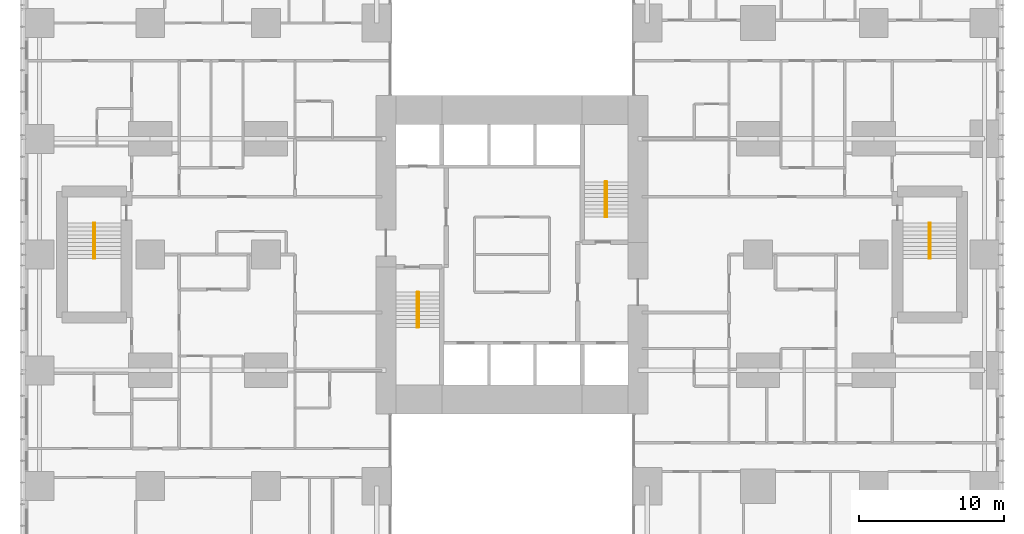
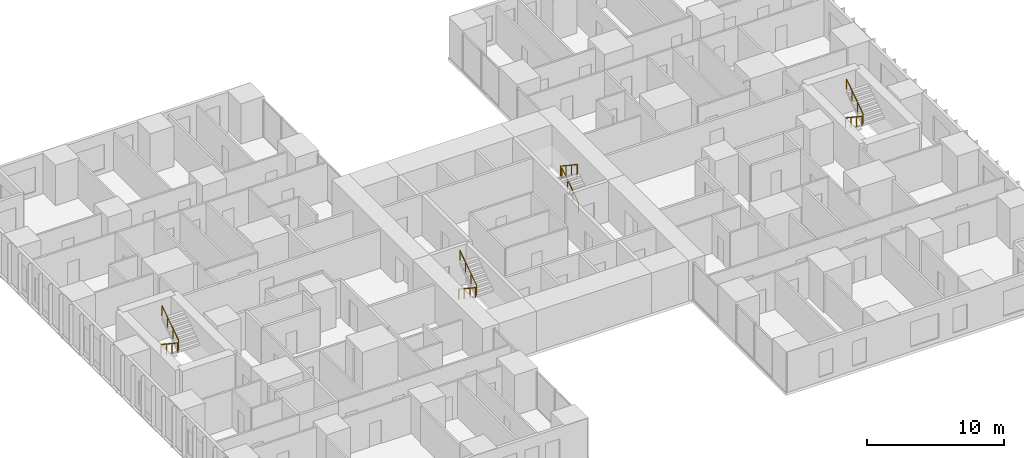
# One storey, part 20 of 20: 8 railings.
"""IFC4 building model written with IfcOpenShell, lengths in metres."""

from ifc_helpers import new_model, si_unit, direction, frame, origin, origin_2d, place, context, subcontext, project, spatial, circle, extrude, material, type_object, element, save


model = new_model("IFC4")

# Units and contexts
model_context = context("Model", 3, precision=1e-05, world=origin(), true_north=direction((0.0, 1.0)))
body_context = subcontext(model_context, "Body", "Model", "MODEL_VIEW")
ifc_project = project(units=[si_unit("LENGTHUNIT", "METRE"), si_unit("AREAUNIT", "SQUARE_METRE"), si_unit("VOLUMEUNIT", "CUBIC_METRE"), si_unit("PLANEANGLEUNIT", "RADIAN"), si_unit("MASSUNIT", "GRAM", prefix="KILO")], contexts=[model_context])

# Site, building, storey
site_placement = place(None, origin())
site = spatial("IfcSite", under=ifc_project, at=site_placement, CompositionType="ELEMENT")
building_placement = place(site_placement, origin())
building = spatial("IfcBuilding", under=site, at=building_placement, Name="Cleftline Residences", CompositionType="ELEMENT")
storey_placement = place(building_placement, frame((0.0, 0.0, 157.39990234375)))
storey = spatial("IfcBuildingStorey", under=building, at=storey_placement, Name="L41", CompositionType="ELEMENT", Elevation=157.39990234375)

# Railings
ifc_material = material(Name="Stainless steel", Category="steel")
railing_type = type_object("IfcRailingType", Name="HANDRAIL 900", PredefinedType="HANDRAIL", material=ifc_material)
railing_1_placement = place(storey_placement, frame((26.449951171875, 21.39990234375, 0.18017578125)))
element("IfcRailing", 1, at=railing_1_placement, inside=storey, type_object=railing_type, Name="Stair handrail", PredefinedType="HANDRAIL", context=body_context, shape_type="SweptSolid", body=[
    extrude(circle(Radius=0.02392578125, at=origin_2d()), frame((0.0, 0.0, 0.8759765625), z_axis=(0.0, -0.832063155534, 0.554680903946), x_axis=(1.0, 0.0, 0.0)), (0.0, 0.0, 1.0), 2.92041015625),
    extrude(circle(Radius=0.02099609375, at=origin_2d()), origin(), (0.0, 0.0, 1.0), 0.851806640625),
    extrude(circle(Radius=0.02099609375, at=origin_2d()), frame((0.0, -0.81005859375, 0.5400390625)), (0.0, 0.0, 1.0), 0.851806640625),
    extrude(circle(Radius=0.02099609375, at=origin_2d()), frame((0.0, -1.619873046875, 1.079833984375)), (0.0, 0.0, 1.0), 0.851806640625),
    extrude(circle(Radius=0.02099609375, at=origin_2d()), frame((0.0, -2.429931640625, 1.619873046875)), (0.0, 0.0, 1.0), 0.851806640625),
])
railing_2_placement = place(storey_placement, frame((26.550048828125, 18.969970703125, 1.97998046875)))
element("IfcRailing", 2, at=railing_2_placement, inside=storey, type_object=railing_type, Name="Stair handrail", PredefinedType="HANDRAIL", context=body_context, shape_type="SweptSolid", body=[
    extrude(circle(Radius=0.02392578125, at=origin_2d()), frame((0.0, 0.0, 0.8759765625), z_axis=(0.0, 0.832024571796, 0.554738778101), x_axis=(-1.0, 0.0, 0.0)), (0.0, 0.0, 1.0), 2.92041015625),
    extrude(circle(Radius=0.02099609375, at=origin_2d()), origin(), (0.0, 0.0, 1.0), 0.851806640625),
    extrude(circle(Radius=0.02099609375, at=origin_2d()), frame((0.0, 0.81005859375, 0.5400390625)), (0.0, 0.0, 1.0), 0.851806640625),
    extrude(circle(Radius=0.02099609375, at=origin_2d()), frame((0.0, 1.619873046875, 1.080078125)), (0.0, 0.0, 1.0), 0.851806640625),
    extrude(circle(Radius=0.02099609375, at=origin_2d()), frame((0.0, 2.429931640625, 1.6201171875)), (0.0, 0.0, 1.0), 0.851806640625),
])
railing_3_placement = place(storey_placement, frame((39.550048828125, 26.60009765625, 0.18017578125)))
element("IfcRailing", 3, at=railing_3_placement, inside=storey, type_object=railing_type, Name="Stair handrail", PredefinedType="HANDRAIL", context=body_context, shape_type="SweptSolid", body=[
    extrude(circle(Radius=0.02392578125, at=origin_2d()), frame((0.0, 0.0, 0.8759765625), z_axis=(0.0, 0.832063155534, 0.554680903946), x_axis=(-1.0, 0.0, 0.0)), (0.0, 0.0, 1.0), 2.92041015625),
    extrude(circle(Radius=0.02099609375, at=origin_2d()), origin(), (0.0, 0.0, 1.0), 0.851806640625),
    extrude(circle(Radius=0.02099609375, at=origin_2d()), frame((0.0, 0.81005859375, 0.5400390625)), (0.0, 0.0, 1.0), 0.851806640625),
    extrude(circle(Radius=0.02099609375, at=origin_2d()), frame((0.0, 1.619873046875, 1.079833984375)), (0.0, 0.0, 1.0), 0.851806640625),
    extrude(circle(Radius=0.02099609375, at=origin_2d()), frame((0.0, 2.429931640625, 1.619873046875)), (0.0, 0.0, 1.0), 0.851806640625),
])
railing_4_placement = place(storey_placement, frame((39.449951171875, 29.030029296875, 1.97998046875)))
element("IfcRailing", 4, at=railing_4_placement, inside=storey, type_object=railing_type, Name="Stair handrail", PredefinedType="HANDRAIL", context=body_context, shape_type="SweptSolid", body=[
    extrude(circle(Radius=0.02392578125, at=origin_2d()), frame((0.0, 0.0, 0.8759765625), z_axis=(0.0, -0.832024571796, 0.554738778101), x_axis=(1.0, 0.0, 0.0)), (0.0, 0.0, 1.0), 2.92041015625),
    extrude(circle(Radius=0.02099609375, at=origin_2d()), origin(), (0.0, 0.0, 1.0), 0.851806640625),
    extrude(circle(Radius=0.02099609375, at=origin_2d()), frame((0.0, -0.81005859375, 0.5400390625)), (0.0, 0.0, 1.0), 0.851806640625),
    extrude(circle(Radius=0.02099609375, at=origin_2d()), frame((0.0, -1.619873046875, 1.080078125)), (0.0, 0.0, 1.0), 0.851806640625),
    extrude(circle(Radius=0.02099609375, at=origin_2d()), frame((0.0, -2.429931640625, 1.6201171875)), (0.0, 0.0, 1.0), 0.851806640625),
])
railing_5_placement = place(storey_placement, frame((61.824951171875, 26.175048828125, 0.18017578125)))
element("IfcRailing", 5, at=railing_5_placement, inside=storey, type_object=railing_type, Name="Stair handrail", PredefinedType="HANDRAIL", context=body_context, shape_type="SweptSolid", body=[
    extrude(circle(Radius=0.02392578125, at=origin_2d()), frame((0.0, 0.0, 0.8759765625), z_axis=(0.0, -0.832063155534, 0.554680903946), x_axis=(1.0, 0.0, 0.0)), (0.0, 0.0, 1.0), 2.92041015625),
    extrude(circle(Radius=0.02099609375, at=origin_2d()), origin(), (0.0, 0.0, 1.0), 0.851806640625),
    extrude(circle(Radius=0.02099609375, at=origin_2d()), frame((0.0, -0.81005859375, 0.5400390625)), (0.0, 0.0, 1.0), 0.851806640625),
    extrude(circle(Radius=0.02099609375, at=origin_2d()), frame((0.0, -1.619873046875, 1.079833984375)), (0.0, 0.0, 1.0), 0.851806640625),
    extrude(circle(Radius=0.02099609375, at=origin_2d()), frame((0.0, -2.429931640625, 1.619873046875)), (0.0, 0.0, 1.0), 0.851806640625),
])
railing_6_placement = place(storey_placement, frame((61.925048828125, 23.7451171875, 1.97998046875)))
element("IfcRailing", 6, at=railing_6_placement, inside=storey, type_object=railing_type, Name="Stair handrail", PredefinedType="HANDRAIL", context=body_context, shape_type="SweptSolid", body=[
    extrude(circle(Radius=0.02392578125, at=origin_2d()), frame((0.0, 0.0, 0.8759765625), z_axis=(0.0, 0.832024571796, 0.554738778101), x_axis=(-1.0, 0.0, 0.0)), (0.0, 0.0, 1.0), 2.92041015625),
    extrude(circle(Radius=0.02099609375, at=origin_2d()), origin(), (0.0, 0.0, 1.0), 0.851806640625),
    extrude(circle(Radius=0.02099609375, at=origin_2d()), frame((0.0, 0.81005859375, 0.5400390625)), (0.0, 0.0, 1.0), 0.851806640625),
    extrude(circle(Radius=0.02099609375, at=origin_2d()), frame((0.0, 1.619873046875, 1.080078125)), (0.0, 0.0, 1.0), 0.851806640625),
    extrude(circle(Radius=0.02099609375, at=origin_2d()), frame((0.0, 2.429931640625, 1.6201171875)), (0.0, 0.0, 1.0), 0.851806640625),
])
railing_7_placement = place(storey_placement, frame((4.074951171875, 26.175048828125, 0.18017578125)))
element("IfcRailing", 7, at=railing_7_placement, inside=storey, type_object=railing_type, Name="Stair handrail", PredefinedType="HANDRAIL", context=body_context, shape_type="SweptSolid", body=[
    extrude(circle(Radius=0.02392578125, at=origin_2d()), frame((0.0, 0.0, 0.8759765625), z_axis=(0.0, -0.832063155534, 0.554680903946), x_axis=(1.0, 0.0, 0.0)), (0.0, 0.0, 1.0), 2.92041015625),
    extrude(circle(Radius=0.02099609375, at=origin_2d()), origin(), (0.0, 0.0, 1.0), 0.851806640625),
    extrude(circle(Radius=0.02099609375, at=origin_2d()), frame((0.0, -0.81005859375, 0.5400390625)), (0.0, 0.0, 1.0), 0.851806640625),
    extrude(circle(Radius=0.02099609375, at=origin_2d()), frame((0.0, -1.619873046875, 1.079833984375)), (0.0, 0.0, 1.0), 0.851806640625),
    extrude(circle(Radius=0.02099609375, at=origin_2d()), frame((0.0, -2.429931640625, 1.619873046875)), (0.0, 0.0, 1.0), 0.851806640625),
])
railing_8_placement = place(storey_placement, frame((4.175048828125, 23.7451171875, 1.97998046875)))
element("IfcRailing", 8, at=railing_8_placement, inside=storey, type_object=railing_type, Name="Stair handrail", PredefinedType="HANDRAIL", context=body_context, shape_type="SweptSolid", body=[
    extrude(circle(Radius=0.02392578125, at=origin_2d()), frame((0.0, 0.0, 0.8759765625), z_axis=(0.0, 0.832024571796, 0.554738778101), x_axis=(-1.0, 0.0, 0.0)), (0.0, 0.0, 1.0), 2.92041015625),
    extrude(circle(Radius=0.02099609375, at=origin_2d()), origin(), (0.0, 0.0, 1.0), 0.851806640625),
    extrude(circle(Radius=0.02099609375, at=origin_2d()), frame((0.0, 0.81005859375, 0.5400390625)), (0.0, 0.0, 1.0), 0.851806640625),
    extrude(circle(Radius=0.02099609375, at=origin_2d()), frame((0.0, 1.619873046875, 1.080078125)), (0.0, 0.0, 1.0), 0.851806640625),
    extrude(circle(Radius=0.02099609375, at=origin_2d()), frame((0.0, 2.429931640625, 1.6201171875)), (0.0, 0.0, 1.0), 0.851806640625),
])

save(model, "model.ifc")
